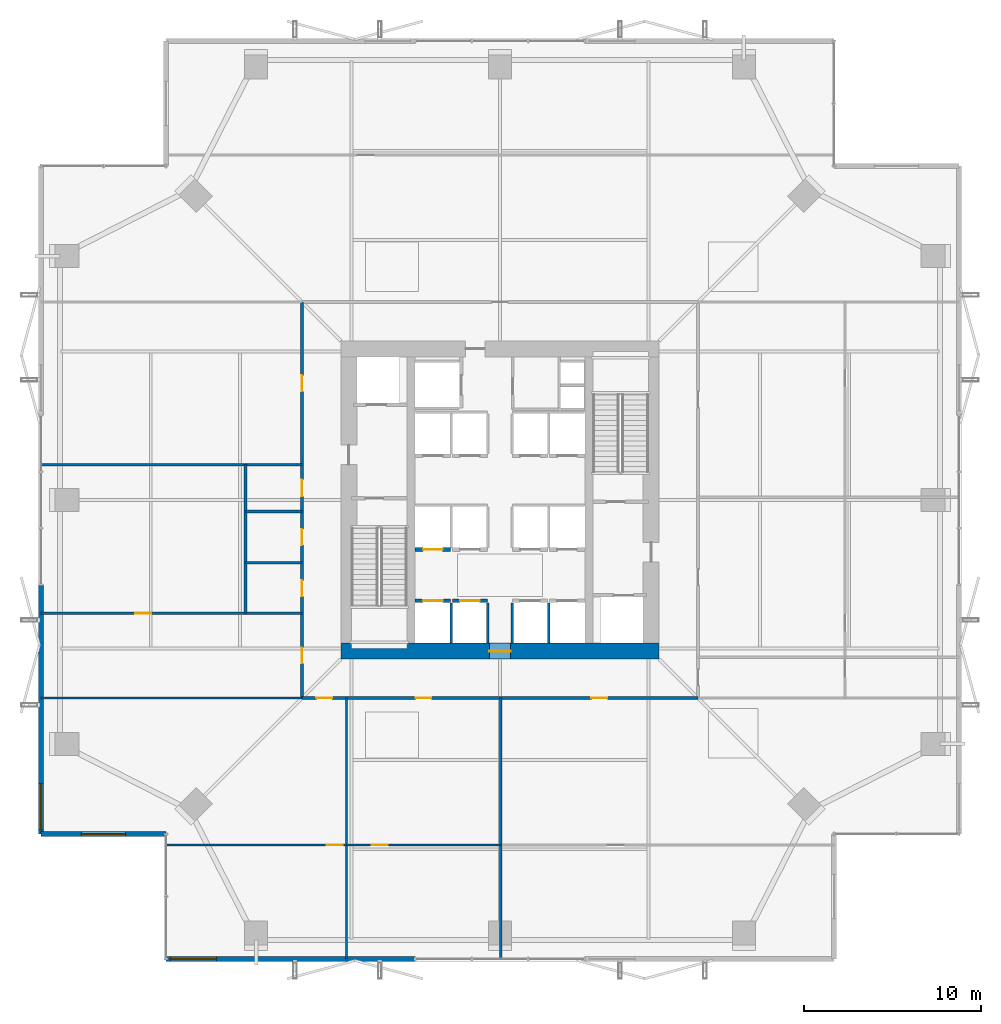
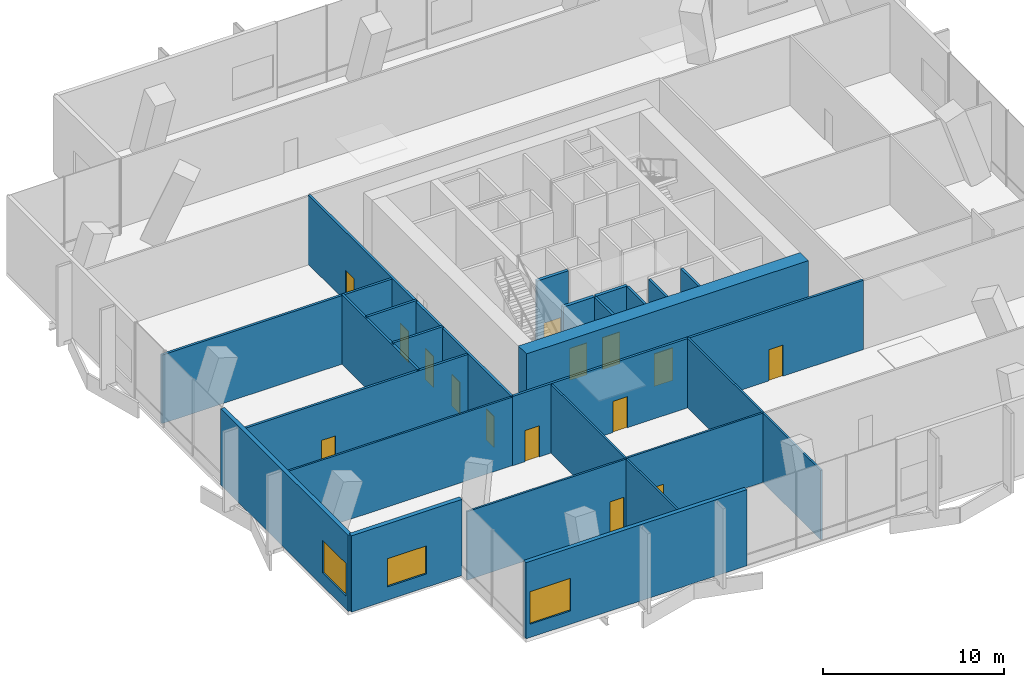
# One storey, part 24 of 28: 23 walls, 15 doors, 3 windows, 18 openings.
"""IFC4 building model written with IfcOpenShell, lengths in metres."""

from ifc_helpers import new_model, si_unit, direction, frame, frame_2d, origin, place, context, subcontext, project, spatial, rectangle, extrude, material, layer, layer_set, type_object, element, fill, save


model = new_model("IFC4")

# Units and contexts
model_context = context("Model", 3, precision=1e-05, world=origin(), true_north=direction((0.0, 1.0)))
body_context = subcontext(model_context, "Body", "Model", "MODEL_VIEW")
ifc_project = project(units=[si_unit("LENGTHUNIT", "METRE"), si_unit("AREAUNIT", "SQUARE_METRE"), si_unit("VOLUMEUNIT", "CUBIC_METRE"), si_unit("PLANEANGLEUNIT", "RADIAN"), si_unit("MASSUNIT", "GRAM", prefix="KILO")], contexts=[model_context])

# Site, building, storey
site_placement = place(None, origin())
site = spatial("IfcSite", under=ifc_project, at=site_placement, CompositionType="ELEMENT")
building_placement = place(site_placement, origin())
building = spatial("IfcBuilding", under=site, at=building_placement, Name="Belovzor Exchange Tower", CompositionType="ELEMENT")
storey_placement = place(building_placement, frame((0.0, 0.0, 132.89990234375)))
storey = spatial("IfcBuildingStorey", under=building, at=storey_placement, Name="L32", CompositionType="ELEMENT", Elevation=132.89990234375)

# Wall, opening, door
ifc_material_1 = material(Name="Acoustic Plasterboard on Galvanised Studs", Category="gypsum")
ifc_layer_1 = layer(ifc_material_1, 0.1201171875)
ifc_layer_set_1 = layer_set([ifc_layer_1], Name="Acoustic Plasterboard on Galvanised Studs")
wall_type_1 = type_object("IfcWallType", Name="Acoustic Double-Stud Partition Wall 120", PredefinedType="PARTITIONING", material=ifc_layer_set_1)
wall_1_placement = place(storey_placement, frame((9.89990234375, 9.280029296875, 0.0), z_axis=(0.0, 0.0, 1.0), x_axis=(1.0, 0.0, 0.0)))
wall_1 = element("IfcWall", 1, at=wall_1_placement, inside=storey, type_object=wall_type_1, Name="W-P120 Partition Wall W-L32-SHDIV-0", PredefinedType="PARTITIONING", context=body_context, shape_type="SweptSolid", body=[
    extrude(rectangle(XDim=10.2080078125, YDim=0.1201171875, at=frame_2d((5.10400390625, 0.0))), origin(), (0.0, 0.0, 1.0), 4.630126953125),
])
opening_1_placement = place(wall_1_placement, frame((9.10791015625, 0.0, 0.0)))
opening_1 = element("IfcOpeningElement", 2, at=opening_1_placement, cuts=wall_1, Name="Opening D-INT-090", PredefinedType="OPENING", context=body_context, shape_type="SweptSolid", body=[
    extrude(rectangle(XDim=0.89990234375, YDim=2.10009765625, at=frame_2d((0.449951171875, 1.050048828125))), frame((0.0, 0.070068359375, 0.0), z_axis=(0.0, -1.0, 0.0), x_axis=(1.0, 0.0, 0.0)), (0.0, 0.0, 1.0), 0.14013671875),
])
ifc_material_2 = material(Name="Veneered Hardwood Acoustic Leaf", Category="wood")
door_type_1 = type_object("IfcDoorType", Name="Trading Suite Acoustic Single Door 900x2100", OperationType="NOTDEFINED", PredefinedType="DOOR", material=ifc_material_2)
door_1_placement = place(opening_1_placement, origin())
door_1 = element("IfcDoor", 3, at=door_1_placement, inside=storey, type_object=door_type_1, Name="D-INT-090 Trading Suite Acoustic Single Door 900x2100", OperationType="SINGLE_SWING_LEFT", OverallHeight=2.10009765625, OverallWidth=0.89990234375, PredefinedType="DOOR", context=body_context, shape_type="SweptSolid", body=[
    extrude(rectangle(XDim=0.89990234375, YDim=2.10009765625, at=frame_2d((0.449951171875, 1.050048828125))), frame((0.0, 0.02490234375, 0.0), z_axis=(0.0, -1.0, 0.0), x_axis=(1.0, 0.0, 0.0)), (0.0, 0.0, 1.0), 0.050048828125),
])
fill(opening_1, door_1)

# Wall
wall_2_placement = place(storey_placement, frame((20.10791015625, 2.830078125, 0.0), z_axis=(0.0, 0.0, 1.0), x_axis=(0.0, 1.0, 0.0)))
element("IfcWall", 4, at=wall_2_placement, inside=storey, type_object=wall_type_1, Name="W-P120 Partition Wall W-L32-SDIV-1", PredefinedType="PARTITIONING", context=body_context, shape_type="SweptSolid", body=[
    extrude(rectangle(XDim=14.77001953125, YDim=0.1201171875, at=frame_2d((7.385009765625, 0.0))), origin(), (0.0, 0.0, 1.0), 4.630126953125),
])

# Wall, opening, door
wall_3_placement = place(storey_placement, frame((20.10791015625, 9.280029296875, 0.0), z_axis=(0.0, 0.0, 1.0), x_axis=(1.0, 0.0, 0.0)))
wall_3 = element("IfcWall", 5, at=wall_3_placement, inside=storey, type_object=wall_type_1, Name="W-P120 Partition Wall W-L32-SHDIV-1", PredefinedType="PARTITIONING", context=body_context, shape_type="SweptSolid", body=[
    extrude(rectangle(XDim=8.731201171875, YDim=0.1201171875, at=frame_2d((4.36572265625, 0.0))), origin(), (0.0, 0.0, 1.0), 4.68017578125),
])
opening_2_placement = place(wall_3_placement, frame((1.43798828125, 0.0, 0.0)))
opening_2 = element("IfcOpeningElement", 6, at=opening_2_placement, cuts=wall_3, Name="Opening D-INT-090", PredefinedType="OPENING", context=body_context, shape_type="SweptSolid", body=[
    extrude(rectangle(XDim=0.89990234375, YDim=2.10009765625, at=frame_2d((0.449951171875, 1.050048828125))), frame((0.0, 0.070068359375, 0.0), z_axis=(0.0, -1.0, 0.0), x_axis=(1.0, 0.0, 0.0)), (0.0, 0.0, 1.0), 0.14013671875),
])
door_2_placement = place(opening_2_placement, origin())
door_2 = element("IfcDoor", 7, at=door_2_placement, inside=storey, type_object=door_type_1, Name="D-INT-090 Trading Suite Acoustic Single Door 900x2100", OperationType="SINGLE_SWING_LEFT", OverallHeight=2.10009765625, OverallWidth=0.89990234375, PredefinedType="DOOR", context=body_context, shape_type="SweptSolid", body=[
    extrude(rectangle(XDim=0.89990234375, YDim=2.10009765625, at=frame_2d((0.449951171875, 1.050048828125))), frame((0.0, 0.02490234375, 0.0), z_axis=(0.0, -1.0, 0.0), x_axis=(1.0, 0.0, 0.0)), (0.0, 0.0, 1.0), 0.050048828125),
])
fill(opening_2, door_2)

# Walls
wall_4_placement = place(storey_placement, frame((28.839111328125, 2.830078125, 0.0), z_axis=(0.0, 0.0, 1.0), x_axis=(0.0, 1.0, 0.0)))
element("IfcWall", 8, at=wall_4_placement, inside=storey, type_object=wall_type_1, Name="W-P120 Partition Wall W-L32-SDIV-2", PredefinedType="PARTITIONING", context=body_context, shape_type="SweptSolid", body=[
    extrude(rectangle(XDim=14.77001953125, YDim=0.1201171875, at=frame_2d((7.385009765625, 0.0))), origin(), (0.0, 0.0, 1.0), 4.68017578125),
])
wall_5_placement = place(storey_placement, frame((2.830078125, 17.60009765625, 0.0), z_axis=(0.0, 0.0, 1.0), x_axis=(1.0, 0.0, 0.0)))
element("IfcWall", 9, at=wall_5_placement, inside=storey, type_object=wall_type_1, Name="W-P120 Partition Wall W-L32-END-SW", PredefinedType="PARTITIONING", context=body_context, shape_type="SweptSolid", body=[
    extrude(rectangle(XDim=14.77001953125, YDim=0.1201171875, at=frame_2d((7.385009765625, 0.0))), origin(), (0.0, 0.0, 1.0), 4.630126953125),
])
ifc_material_3 = material(Name="Fire-Rated Gypsum Block and Mineral Wool", Category="gypsum")
ifc_layer_2 = layer(ifc_material_3, 0.14990234375)
ifc_layer_set_2 = layer_set([ifc_layer_2], Name="Fire-Rated Gypsum Block and Mineral Wool")
wall_type_2 = type_object("IfcWallType", Name="Fire-Rated Gypsum Block Corridor Wall 150", PredefinedType="PARTITIONING", material=ifc_layer_set_2)
wall_6_placement = place(storey_placement, frame((14.39990234375, 22.39990234375, 0.0), z_axis=(0.0, 0.0, 1.0), x_axis=(0.0, 1.0, 0.0)))
element("IfcWall", 10, at=wall_6_placement, inside=storey, type_object=wall_type_2, Name="W-P150 Partition Wall W-L32-WCW", PredefinedType="PARTITIONING", context=body_context, shape_type="SweptSolid", body=[
    extrude(rectangle(XDim=8.400146484375, YDim=0.14990234375, at=frame_2d((4.2001953125, 0.0))), origin(), (0.0, 0.0, 1.0), 4.68017578125),
])

# Wall, opening, door
wall_7_placement = place(storey_placement, frame((2.830078125, 22.39990234375, 0.0), z_axis=(0.0, 0.0, 1.0), x_axis=(1.0, 0.0, 0.0)))
wall_7 = element("IfcWall", 11, at=wall_7_placement, inside=storey, type_object=wall_type_2, Name="W-P150 Partition Wall W-L32-WCS", PredefinedType="PARTITIONING", context=body_context, shape_type="SweptSolid", body=[
    extrude(rectangle(XDim=14.77001953125, YDim=0.14990234375, at=frame_2d((7.385009765625, 0.0))), origin(), (0.0, 0.0, 1.0), 4.630126953125),
])
opening_3_placement = place(wall_7_placement, frame((5.3349609375, 0.0, 0.0)))
opening_3 = element("IfcOpeningElement", 12, at=opening_3_placement, cuts=wall_7, Name="Opening D-INT-090", PredefinedType="OPENING", context=body_context, shape_type="SweptSolid", body=[
    extrude(rectangle(XDim=0.89990234375, YDim=2.10009765625, at=frame_2d((0.449951171875, 1.050048828125))), frame((0.0, 0.0849609375, 0.0), z_axis=(0.0, -1.0, 0.0), x_axis=(1.0, 0.0, 0.0)), (0.0, 0.0, 1.0), 0.169921875),
])
door_3_placement = place(opening_3_placement, origin())
door_3 = element("IfcDoor", 13, at=door_3_placement, inside=storey, type_object=door_type_1, Name="D-INT-090 Trading Suite Acoustic Single Door 900x2100", OperationType="SINGLE_SWING_LEFT", OverallHeight=2.10009765625, OverallWidth=0.89990234375, PredefinedType="DOOR", context=body_context, shape_type="SweptSolid", body=[
    extrude(rectangle(XDim=0.89990234375, YDim=2.10009765625, at=frame_2d((0.449951171875, 1.050048828125))), frame((0.0, 0.02490234375, 0.0), z_axis=(0.0, -1.0, 0.0), x_axis=(1.0, 0.0, 0.0)), (0.0, 0.0, 1.0), 0.050048828125),
])
fill(opening_3, door_3)

# Walls
wall_8_placement = place(storey_placement, frame((2.830078125, 30.800048828125, 0.0), z_axis=(0.0, 0.0, 1.0), x_axis=(1.0, 0.0, 0.0)))
element("IfcWall", 14, at=wall_8_placement, inside=storey, type_object=wall_type_2, Name="W-P150 Partition Wall W-L32-WCN", PredefinedType="PARTITIONING", context=body_context, shape_type="SweptSolid", body=[
    extrude(rectangle(XDim=14.77001953125, YDim=0.14990234375, at=frame_2d((7.385009765625, 0.0))), origin(), (0.0, 0.0, 1.0), 4.630126953125),
])
for number, where, z_axis, x_axis, name in (
    (15, (14.39990234375, 25.25, 0.0), (0.0, 0.0, 1.0), (1.0, 0.0, 0.0), "W-P150 Partition Wall W-L32-WCD1"),
    (16, (14.39990234375, 28.14990234375, 0.0), (0.0, 0.0, 1.0), (1.0, 0.0, 0.0), "W-P150 Partition Wall W-L32-WCD2"),
):
    element("IfcWall", number, at=place(storey_placement, frame(where, z_axis=z_axis, x_axis=x_axis)), inside=storey, type_object=wall_type_2, Name=name, PredefinedType="PARTITIONING", context=body_context, shape_type="SweptSolid", body=[
        extrude(rectangle(XDim=3.2001953125, YDim=0.14990234375, at=frame_2d((1.60009765625, 0.0))), origin(), (0.0, 0.0, 1.0), 4.77001953125),
    ])

# Wall, openings, doors
wall_9_placement = place(storey_placement, frame((17.60009765625, 17.60009765625, 0.0), z_axis=(0.0, 0.0, 1.0), x_axis=(1.0, 0.0, 0.0)))
wall_9 = element("IfcWall", 17, at=wall_9_placement, inside=storey, type_object=wall_type_2, Name="W-P150 Partition Wall W-L32-CS", PredefinedType="PARTITIONING", context=body_context, shape_type="SweptSolid", body=[
    extrude(rectangle(XDim=22.39990234375, YDim=0.14990234375, at=frame_2d((11.199951171875, 0.0))), origin(), (0.0, 0.0, 1.0), 4.68017578125),
])
opening_4_placement = place(wall_9_placement, frame((0.803955078125, 0.0, 0.0)))
opening_4 = element("IfcOpeningElement", 18, at=opening_4_placement, cuts=wall_9, Name="Opening D-INT-090", PredefinedType="OPENING", context=body_context, shape_type="SweptSolid", body=[
    extrude(rectangle(XDim=0.89990234375, YDim=2.10009765625, at=frame_2d((0.449951171875, 1.050048828125))), frame((0.0, 0.0849609375, 0.0), z_axis=(0.0, -1.0, 0.0), x_axis=(1.0, 0.0, 0.0)), (0.0, 0.0, 1.0), 0.169921875),
])
opening_5_placement = place(wall_9_placement, frame((6.424072265625, 0.0, 0.0)))
opening_5 = element("IfcOpeningElement", 19, at=opening_5_placement, cuts=wall_9, Name="Opening D-INT-090", PredefinedType="OPENING", context=body_context, shape_type="SweptSolid", body=[
    extrude(rectangle(XDim=0.89990234375, YDim=2.10009765625, at=frame_2d((0.449951171875, 1.050048828125))), frame((0.0, 0.0849609375, 0.0), z_axis=(0.0, -1.0, 0.0), x_axis=(1.0, 0.0, 0.0)), (0.0, 0.0, 1.0), 0.169921875),
])
opening_6_placement = place(wall_9_placement, frame((16.368896484375, 0.0, 0.0)))
opening_6 = element("IfcOpeningElement", 20, at=opening_6_placement, cuts=wall_9, Name="Opening D-INT-090", PredefinedType="OPENING", context=body_context, shape_type="SweptSolid", body=[
    extrude(rectangle(XDim=0.89990234375, YDim=2.10009765625, at=frame_2d((0.449951171875, 1.050048828125))), frame((0.0, 0.0849609375, 0.0), z_axis=(0.0, -1.0, 0.0), x_axis=(1.0, 0.0, 0.0)), (0.0, 0.0, 1.0), 0.169921875),
])
door_4_placement = place(opening_4_placement, origin())
door_4 = element("IfcDoor", 21, at=door_4_placement, inside=storey, type_object=door_type_1, Name="D-INT-090 Trading Suite Acoustic Single Door 900x2100", OperationType="SINGLE_SWING_RIGHT", OverallHeight=2.10009765625, OverallWidth=0.89990234375, PredefinedType="DOOR", context=body_context, shape_type="SweptSolid", body=[
    extrude(rectangle(XDim=0.89990234375, YDim=2.10009765625, at=frame_2d((0.449951171875, 1.050048828125))), frame((0.0, 0.02490234375, 0.0), z_axis=(0.0, -1.0, 0.0), x_axis=(1.0, 0.0, 0.0)), (0.0, 0.0, 1.0), 0.050048828125),
])
fill(opening_4, door_4)
door_5_placement = place(opening_5_placement, origin())
door_5 = element("IfcDoor", 22, at=door_5_placement, inside=storey, type_object=door_type_1, Name="D-INT-090 Trading Suite Acoustic Single Door 900x2100", OperationType="SINGLE_SWING_LEFT", OverallHeight=2.10009765625, OverallWidth=0.89990234375, PredefinedType="DOOR", context=body_context, shape_type="SweptSolid", body=[
    extrude(rectangle(XDim=0.89990234375, YDim=2.10009765625, at=frame_2d((0.449951171875, 1.050048828125))), frame((0.0, 0.02490234375, 0.0), z_axis=(0.0, -1.0, 0.0), x_axis=(1.0, 0.0, 0.0)), (0.0, 0.0, 1.0), 0.050048828125),
])
fill(opening_5, door_5)
door_6_placement = place(opening_6_placement, origin())
door_6 = element("IfcDoor", 23, at=door_6_placement, inside=storey, type_object=door_type_1, Name="D-INT-090 Trading Suite Acoustic Single Door 900x2100", OperationType="SINGLE_SWING_RIGHT", OverallHeight=2.10009765625, OverallWidth=0.89990234375, PredefinedType="DOOR", context=body_context, shape_type="SweptSolid", body=[
    extrude(rectangle(XDim=0.89990234375, YDim=2.10009765625, at=frame_2d((0.449951171875, 1.050048828125))), frame((0.0, 0.02490234375, 0.0), z_axis=(0.0, -1.0, 0.0), x_axis=(1.0, 0.0, 0.0)), (0.0, 0.0, 1.0), 0.050048828125),
])
fill(opening_6, door_6)

wall_10_placement = place(storey_placement, frame((17.60009765625, 17.60009765625, 0.0), z_axis=(0.0, 0.0, 1.0), x_axis=(0.0, 1.0, 0.0)))
wall_10 = element("IfcWall", 24, at=wall_10_placement, inside=storey, type_object=wall_type_2, Name="W-P150 Partition Wall W-L32-CW", PredefinedType="PARTITIONING", context=body_context, shape_type="SweptSolid", body=[
    extrude(rectangle(XDim=22.39990234375, YDim=0.14990234375, at=frame_2d((11.199951171875, 0.0))), origin(), (0.0, 0.0, 1.0), 4.68017578125),
])
opening_7_placement = place(wall_10_placement, frame((1.949951171875, 0.0, 0.0)))
opening_7 = element("IfcOpeningElement", 25, at=opening_7_placement, cuts=wall_10, Name="Opening D-INT-090", PredefinedType="OPENING", context=body_context, shape_type="SweptSolid", body=[
    extrude(rectangle(XDim=0.89990234375, YDim=2.10009765625, at=frame_2d((0.449951171875, 1.050048828125))), frame((0.0, 0.0849609375, 0.0), z_axis=(0.0, -1.0, 0.0), x_axis=(1.0, 0.0, 0.0)), (0.0, 0.0, 1.0), 0.169921875),
])
opening_8_placement = place(wall_10_placement, frame((5.75, 0.0, 0.0)))
opening_8 = element("IfcOpeningElement", 26, at=opening_8_placement, cuts=wall_10, Name="Opening D-FD60-090", PredefinedType="OPENING", context=body_context, shape_type="SweptSolid", body=[
    extrude(rectangle(XDim=0.89990234375, YDim=2.10009765625, at=frame_2d((0.449951171875, 1.050048828125))), frame((0.0, 0.0849609375, 0.0), z_axis=(0.0, -1.0, 0.0), x_axis=(1.0, 0.0, 0.0)), (0.0, 0.0, 1.0), 0.169921875),
])
opening_9_placement = place(wall_10_placement, frame((8.64990234375, 0.0, 0.0)))
opening_9 = element("IfcOpeningElement", 27, at=opening_9_placement, cuts=wall_10, Name="Opening D-FD60-090", PredefinedType="OPENING", context=body_context, shape_type="SweptSolid", body=[
    extrude(rectangle(XDim=0.89990234375, YDim=2.10009765625, at=frame_2d((0.449951171875, 1.050048828125))), frame((0.0, 0.0849609375, 0.0), z_axis=(0.0, -1.0, 0.0), x_axis=(1.0, 0.0, 0.0)), (0.0, 0.0, 1.0), 0.169921875),
])
opening_10_placement = place(wall_10_placement, frame((11.39990234375, 0.0, 0.0)))
opening_10 = element("IfcOpeningElement", 28, at=opening_10_placement, cuts=wall_10, Name="Opening D-FD60-095", PredefinedType="OPENING", context=body_context, shape_type="SweptSolid", body=[
    extrude(rectangle(XDim=0.949951171875, YDim=2.10009765625, at=frame_2d((0.47509765625, 1.050048828125))), frame((0.0, 0.0849609375, 0.0), z_axis=(0.0, -1.0, 0.0), x_axis=(1.0, 0.0, 0.0)), (0.0, 0.0, 1.0), 0.169921875),
])
opening_11_placement = place(wall_10_placement, frame((17.35009765625, 0.0, 0.0)))
opening_11 = element("IfcOpeningElement", 29, at=opening_11_placement, cuts=wall_10, Name="Opening D-INT-090", PredefinedType="OPENING", context=body_context, shape_type="SweptSolid", body=[
    extrude(rectangle(XDim=0.89990234375, YDim=2.10009765625, at=frame_2d((0.449951171875, 1.050048828125))), frame((0.0, 0.0849609375, 0.0), z_axis=(0.0, -1.0, 0.0), x_axis=(1.0, 0.0, 0.0)), (0.0, 0.0, 1.0), 0.169921875),
])
ifc_material_4 = material(Name="Moisture-Resistant Timber Fire Leaf", Category="wood")
door_type_2 = type_object("IfcDoorType", Name="Accessible Restroom Wide Fire Door 950x2100", OperationType="NOTDEFINED", PredefinedType="DOOR", material=ifc_material_4)
door_7_placement = place(opening_10_placement, origin())
door_7 = element("IfcDoor", 30, at=door_7_placement, inside=storey, type_object=door_type_2, Name="D-FD60-095 Accessible Restroom Wide Fire Door 950x2100", OperationType="SINGLE_SWING_LEFT", OverallHeight=2.10009765625, OverallWidth=0.949951171875, PredefinedType="DOOR", context=body_context, shape_type="SweptSolid", body=[
    extrude(rectangle(XDim=0.949951171875, YDim=2.10009765625, at=frame_2d((0.47509765625, 1.050048828125))), frame((0.0, 0.02490234375, 0.0), z_axis=(0.0, -1.0, 0.0), x_axis=(1.0, 0.0, 0.0)), (0.0, 0.0, 1.0), 0.050048828125),
])
fill(opening_10, door_7)
ifc_material_5 = material(Name="Acoustic Timber Fire Leaf", Category="wood")
door_type_3 = type_object("IfcDoorType", Name="Core Service & Restroom Fire Door 900x2100", OperationType="NOTDEFINED", PredefinedType="DOOR", material=ifc_material_5)
door_8_placement = place(opening_8_placement, origin())
door_8 = element("IfcDoor", 31, at=door_8_placement, inside=storey, type_object=door_type_3, Name="D-FD60-090 Core Service & Restroom Fire Door 900x2100", OperationType="SINGLE_SWING_LEFT", OverallHeight=2.10009765625, OverallWidth=0.89990234375, PredefinedType="DOOR", context=body_context, shape_type="SweptSolid", body=[
    extrude(rectangle(XDim=0.89990234375, YDim=2.10009765625, at=frame_2d((0.449951171875, 1.050048828125))), frame((0.0, 0.02490234375, 0.0), z_axis=(0.0, -1.0, 0.0), x_axis=(1.0, 0.0, 0.0)), (0.0, 0.0, 1.0), 0.050048828125),
])
fill(opening_8, door_8)
door_9_placement = place(opening_9_placement, origin())
door_9 = element("IfcDoor", 32, at=door_9_placement, inside=storey, type_object=door_type_3, Name="D-FD60-090 Core Service & Restroom Fire Door 900x2100", OperationType="SINGLE_SWING_RIGHT", OverallHeight=2.10009765625, OverallWidth=0.89990234375, PredefinedType="DOOR", context=body_context, shape_type="SweptSolid", body=[
    extrude(rectangle(XDim=0.89990234375, YDim=2.10009765625, at=frame_2d((0.449951171875, 1.050048828125))), frame((0.0, 0.02490234375, 0.0), z_axis=(0.0, -1.0, 0.0), x_axis=(1.0, 0.0, 0.0)), (0.0, 0.0, 1.0), 0.050048828125),
])
fill(opening_9, door_9)
door_10_placement = place(opening_7_placement, origin())
door_10 = element("IfcDoor", 33, at=door_10_placement, inside=storey, type_object=door_type_1, Name="D-INT-090 Trading Suite Acoustic Single Door 900x2100", OperationType="SINGLE_SWING_LEFT", OverallHeight=2.10009765625, OverallWidth=0.89990234375, PredefinedType="DOOR", context=body_context, shape_type="SweptSolid", body=[
    extrude(rectangle(XDim=0.89990234375, YDim=2.10009765625, at=frame_2d((0.449951171875, 1.050048828125))), frame((0.0, 0.02490234375, 0.0), z_axis=(0.0, -1.0, 0.0), x_axis=(1.0, 0.0, 0.0)), (0.0, 0.0, 1.0), 0.050048828125),
])
fill(opening_7, door_10)
door_11_placement = place(opening_11_placement, origin())
door_11 = element("IfcDoor", 34, at=door_11_placement, inside=storey, type_object=door_type_1, Name="D-INT-090 Trading Suite Acoustic Single Door 900x2100", OperationType="SINGLE_SWING_RIGHT", OverallHeight=2.10009765625, OverallWidth=0.89990234375, PredefinedType="DOOR", context=body_context, shape_type="SweptSolid", body=[
    extrude(rectangle(XDim=0.89990234375, YDim=2.10009765625, at=frame_2d((0.449951171875, 1.050048828125))), frame((0.0, 0.02490234375, 0.0), z_axis=(0.0, -1.0, 0.0), x_axis=(1.0, 0.0, 0.0)), (0.0, 0.0, 1.0), 0.050048828125),
])
fill(opening_11, door_11)

# Wall, opening, window
ifc_material_6 = material(Name="Precast concrete C40/50", Category="concrete")
ifc_layer_3 = layer(ifc_material_6, 0.280029296875)
ifc_layer_set_3 = layer_set([ifc_layer_3], Name="Precast concrete C40/50")
wall_type_3 = type_object("IfcWallType", Name="Precast Concrete Notched Corner Frame Wall 280", PredefinedType="SOLIDWALL", material=ifc_layer_set_3)
wall_11_placement = place(storey_placement, frame((9.89990234375, 9.89990234375, 0.0), z_axis=(0.0, 0.0, 1.0), x_axis=(-1.0, 0.0, 0.0)))
wall_11 = element("IfcWall", 35, at=wall_11_placement, inside=storey, type_object=wall_type_3, Name="W-CRN280 Precast Concrete Notched Corner Frame Wall 280 L32", PredefinedType="SOLIDWALL", context=body_context, shape_type="SweptSolid", body=[
    extrude(rectangle(XDim=7.06982421875, YDim=0.280029296875, at=frame_2d((3.534912109375, 0.0))), origin(), (0.0, 0.0, 1.0), 5.14501953125),
])
opening_12_placement = place(wall_11_placement, frame((2.284912109375, 0.0, 0.89990234375)))
opening_12 = element("IfcOpeningElement", 36, at=opening_12_placement, cuts=wall_11, Name="Opening WN-CRN250", PredefinedType="OPENING", context=body_context, shape_type="SweptSolid", body=[
    extrude(rectangle(XDim=2.5, YDim=1.89990234375, at=frame_2d((1.25, 0.949951171875))), frame((0.0, 0.14990234375, 0.0), z_axis=(0.0, -1.0, 0.0), x_axis=(1.0, 0.0, 0.0)), (0.0, 0.0, 1.0), 0.300048828125),
])
ifc_material_7 = material(Name="Thermally Broken Aluminium and Triple Glazing", Category="aluminium")
window_type_1 = type_object("IfcWindowType", Name="Streamline Moderne Corner Wrap Ribbon Window 2500x1900", PartitioningType="SINGLE_PANEL", PredefinedType="WINDOW", material=ifc_material_7)
window_1_placement = place(opening_12_placement, origin())
window_1 = element("IfcWindow", 37, at=window_1_placement, inside=storey, type_object=window_type_1, Name="WN-CRN250 Streamline Moderne Corner Wrap Ribbon Window 2500x1900", OverallHeight=1.89990234375, OverallWidth=2.5, PartitioningType="SINGLE_PANEL", PredefinedType="WINDOW", context=body_context, shape_type="SweptSolid", body=[
    extrude(rectangle(XDim=2.5, YDim=1.89990234375, at=frame_2d((1.25, 0.949951171875))), frame((0.0, 0.030029296875, 0.0), z_axis=(0.0, -1.0, 0.0), x_axis=(1.0, 0.0, 0.0)), (0.0, 0.0, 1.0), 0.06005859375),
])
fill(opening_12, window_1)

ifc_material_8 = material(Name="Precast concrete C40/50", Category="concrete")
ifc_layer_4 = layer(ifc_material_8, 0.260009765625)
ifc_layer_set_4 = layer_set([ifc_layer_4], Name="Precast concrete C40/50")
wall_type_4 = type_object("IfcWallType", Name="Precast Concrete Perimeter Loggia Frame Wall 260", PredefinedType="SOLIDWALL", material=ifc_layer_set_4)
wall_12_placement = place(storey_placement, frame((24.0, 2.830078125, 0.0), z_axis=(0.0, 0.0, 1.0), x_axis=(-1.0, 0.0, 0.0)))
wall_12 = element("IfcWall", 38, at=wall_12_placement, inside=storey, type_object=wall_type_4, Name="W-EXT260 Precast Concrete Perimeter Loggia Frame Wall 260 L32", PredefinedType="SOLIDWALL", context=body_context, shape_type="SweptSolid", body=[
    extrude(rectangle(XDim=14.10009765625, YDim=0.260009765625, at=frame_2d((7.050048828125, 0.0))), origin(), (0.0, 0.0, 1.0), 5.14501953125),
])
opening_13_placement = place(wall_12_placement, frame((11.25, 0.0, 0.89990234375)))
opening_13 = element("IfcOpeningElement", 39, at=opening_13_placement, cuts=wall_12, Name="Opening WN-LOG260", PredefinedType="OPENING", context=body_context, shape_type="SweptSolid", body=[
    extrude(rectangle(XDim=2.60009765625, YDim=2.199951171875, at=frame_2d((1.300048828125, 1.10009765625))), frame((0.0, 0.139892578125, 0.0), z_axis=(0.0, -1.0, 0.0), x_axis=(1.0, 0.0, 0.0)), (0.0, 0.0, 1.0), 0.280029296875),
])
ifc_material_9 = material(Name="Thermally Broken Aluminium and Triple Glazing", Category="aluminium")
window_type_2 = type_object("IfcWindowType", Name="Sky-Lobby Panoramic Window 2600x2200", PartitioningType="SINGLE_PANEL", PredefinedType="WINDOW", material=ifc_material_9)
window_2_placement = place(opening_13_placement, origin())
window_2 = element("IfcWindow", 40, at=window_2_placement, inside=storey, type_object=window_type_2, Name="WN-LOG260 Sky-Lobby Panoramic Window 2600x2200", OverallHeight=2.199951171875, OverallWidth=2.60009765625, PartitioningType="SINGLE_PANEL", PredefinedType="WINDOW", context=body_context, shape_type="SweptSolid", body=[
    extrude(rectangle(XDim=2.60009765625, YDim=2.199951171875, at=frame_2d((1.300048828125, 1.10009765625))), frame((0.0, 0.030029296875, 0.0), z_axis=(0.0, -1.0, 0.0), x_axis=(1.0, 0.0, 0.0)), (0.0, 0.0, 1.0), 0.06005859375),
])
fill(opening_13, window_2)

wall_13_placement = place(storey_placement, frame((2.830078125, 9.89990234375, 0.0), z_axis=(0.0, 0.0, 1.0), x_axis=(0.0, 1.0, 0.0)))
wall_13 = element("IfcWall", 41, at=wall_13_placement, inside=storey, type_object=wall_type_4, Name="W-EXT260 Precast Concrete Perimeter Loggia Frame Wall 260 L32", PredefinedType="SOLIDWALL", context=body_context, shape_type="SweptSolid", body=[
    extrude(rectangle(XDim=14.10009765625, YDim=0.260009765625, at=frame_2d((7.050048828125, 0.0))), origin(), (0.0, 0.0, 1.0), 5.14501953125),
])
opening_14_placement = place(wall_13_placement, frame((0.25, 0.0, 0.89990234375)))
opening_14 = element("IfcOpeningElement", 42, at=opening_14_placement, cuts=wall_13, Name="Opening WN-LOG260", PredefinedType="OPENING", context=body_context, shape_type="SweptSolid", body=[
    extrude(rectangle(XDim=2.60009765625, YDim=2.199951171875, at=frame_2d((1.300048828125, 1.10009765625))), frame((0.0, 0.139892578125, 0.0), z_axis=(0.0, -1.0, 0.0), x_axis=(1.0, 0.0, 0.0)), (0.0, 0.0, 1.0), 0.280029296875),
])
window_3_placement = place(opening_14_placement, origin())
window_3 = element("IfcWindow", 43, at=window_3_placement, inside=storey, type_object=window_type_2, Name="WN-LOG260 Sky-Lobby Panoramic Window 2600x2200", OverallHeight=2.199951171875, OverallWidth=2.60009765625, PartitioningType="SINGLE_PANEL", PredefinedType="WINDOW", context=body_context, shape_type="SweptSolid", body=[
    extrude(rectangle(XDim=2.60009765625, YDim=2.199951171875, at=frame_2d((1.300048828125, 1.10009765625))), frame((0.0, 0.030029296875, 0.0), z_axis=(0.0, -1.0, 0.0), x_axis=(1.0, 0.0, 0.0)), (0.0, 0.0, 1.0), 0.06005859375),
])
fill(opening_14, window_3)

# Walls
ifc_material_10 = material(Name="Concrete C50/60", Category="concrete")
ifc_layer_5 = layer(ifc_material_10, 0.14990234375)
ifc_layer_set_5 = layer_set([ifc_layer_5], Name="Concrete C50/60")
wall_type_5 = type_object("IfcWallType", Name="Reinforced Concrete Core Riser Shear Wall 150", PredefinedType="SHEAR", material=ifc_layer_set_5)
for number, where, z_axis, x_axis, name in (
    (44, (26.050048828125, 20.719970703125, 0.0), (0.0, 0.0, 1.0), (0.0, 1.0, 0.0), "W-C150S Core Shaft Wall W-SHD-L32-PLL-1"),
    (45, (28.10009765625, 20.719970703125, 0.0), (0.0, 0.0, 1.0), (0.0, 1.0, 0.0), "W-C150S Core Shaft Wall W-SHD-L32-PLL-2"),
    (46, (29.5, 20.719970703125, 0.0), (0.0, 0.0, 1.0), (0.0, 1.0, 0.0), "W-C150S Core Shaft Wall W-SHD-L32-PLL-3"),
    (47, (31.550048828125, 20.719970703125, 0.0), (0.0, 0.0, 1.0), (0.0, 1.0, 0.0), "W-C150S Core Shaft Wall W-SHD-L32-PLL-4"),
):
    element("IfcWall", number, at=place(storey_placement, frame(where, z_axis=z_axis, x_axis=x_axis)), inside=storey, type_object=wall_type_5, Name=name, PredefinedType="SHEAR", context=body_context, shape_type="SweptSolid", body=[
        extrude(rectangle(XDim=2.260009765625, YDim=0.14990234375, at=frame_2d((1.1298828125, 0.0))), origin(), (0.0, 0.0, 1.0), 5.14501953125),
    ])

# Wall, opening, door
ifc_material_11 = material(Name="Concrete C50/60", Category="concrete")
ifc_layer_6 = layer(ifc_material_11, 0.199951171875)
ifc_layer_set_6 = layer_set([ifc_layer_6], Name="Concrete C50/60")
wall_type_6 = type_object("IfcWallType", Name="Reinforced Concrete Core Shaft Shear Wall 200", PredefinedType="SHEAR", material=ifc_layer_set_6)
wall_14_placement = place(storey_placement, frame((24.0, 23.10009765625, 0.0), z_axis=(0.0, 0.0, 1.0), x_axis=(1.0, 0.0, 0.0)))
wall_14 = element("IfcWall", 48, at=wall_14_placement, inside=storey, type_object=wall_type_6, Name="W-C200S Core Shaft Wall W-SH-L32-PL-L1", PredefinedType="SHEAR", context=body_context, shape_type="SweptSolid", body=[
    extrude(rectangle(XDim=2.0, YDim=0.199951171875, at=frame_2d((1.0, 0.0))), origin(), (0.0, 0.0, 1.0), 5.14501953125),
])
opening_15_placement = place(wall_14_placement, frame((0.449951171875, 0.0, 0.0)))
opening_15 = element("IfcOpeningElement", 49, at=opening_15_placement, cuts=wall_14, Name="Opening LD-110", PredefinedType="OPENING", context=body_context, shape_type="SweptSolid", body=[
    extrude(rectangle(XDim=1.10009765625, YDim=2.14990234375, at=frame_2d((0.550048828125, 1.074951171875))), frame((0.0, 0.10986328125, 0.0), z_axis=(0.0, -1.0, 0.0), x_axis=(1.0, 0.0, 0.0)), (0.0, 0.0, 1.0), 0.219970703125),
])
ifc_material_12 = material(Name="Stainless Steel Grade 304", Category="steel")
door_type_4 = type_object("IfcDoorType", Name="Automated Stainless Steel Lift Landing Door 1100x2150", OperationType="SLIDING_TO_RIGHT", PredefinedType="DOOR", material=ifc_material_12)
door_12_placement = place(opening_15_placement, origin())
door_12 = element("IfcDoor", 50, at=door_12_placement, inside=storey, type_object=door_type_4, Name="LD-110 Automated Stainless Steel Lift Landing Door 1100x2150", OperationType="SLIDING_TO_RIGHT", OverallHeight=2.14990234375, OverallWidth=1.10009765625, PredefinedType="DOOR", context=body_context, shape_type="SweptSolid", body=[
    extrude(rectangle(XDim=1.10009765625, YDim=2.14990234375, at=frame_2d((0.550048828125, 1.074951171875))), frame((0.0, 0.02490234375, 0.0), z_axis=(0.0, -1.0, 0.0), x_axis=(1.0, 0.0, 0.0)), (0.0, 0.0, 1.0), 0.050048828125),
])
fill(opening_15, door_12)

wall_15_placement = place(storey_placement, frame((26.10009765625, 23.10009765625, 0.0), z_axis=(0.0, 0.0, 1.0), x_axis=(1.0, 0.0, 0.0)))
wall_15 = element("IfcWall", 51, at=wall_15_placement, inside=storey, type_object=wall_type_6, Name="W-C200S Core Shaft Wall W-SH-L32-PL-L2", PredefinedType="SHEAR", context=body_context, shape_type="SweptSolid", body=[
    extrude(rectangle(XDim=2.0, YDim=0.199951171875, at=frame_2d((1.0, 0.0))), origin(), (0.0, 0.0, 1.0), 5.14501953125),
])
opening_16_placement = place(wall_15_placement, frame((0.449951171875, 0.0, 0.0)))
opening_16 = element("IfcOpeningElement", 52, at=opening_16_placement, cuts=wall_15, Name="Opening LD-110", PredefinedType="OPENING", context=body_context, shape_type="SweptSolid", body=[
    extrude(rectangle(XDim=1.10009765625, YDim=2.14990234375, at=frame_2d((0.550048828125, 1.074951171875))), frame((0.0, 0.10986328125, 0.0), z_axis=(0.0, -1.0, 0.0), x_axis=(1.0, 0.0, 0.0)), (0.0, 0.0, 1.0), 0.219970703125),
])
door_13_placement = place(opening_16_placement, origin())
door_13 = element("IfcDoor", 53, at=door_13_placement, inside=storey, type_object=door_type_4, Name="LD-110 Automated Stainless Steel Lift Landing Door 1100x2150", OperationType="SLIDING_TO_RIGHT", OverallHeight=2.14990234375, OverallWidth=1.10009765625, PredefinedType="DOOR", context=body_context, shape_type="SweptSolid", body=[
    extrude(rectangle(XDim=1.10009765625, YDim=2.14990234375, at=frame_2d((0.550048828125, 1.074951171875))), frame((0.0, 0.02490234375, 0.0), z_axis=(0.0, -1.0, 0.0), x_axis=(1.0, 0.0, 0.0)), (0.0, 0.0, 1.0), 0.050048828125),
])
fill(opening_16, door_13)

wall_16_placement = place(storey_placement, frame((24.0, 26.0, 0.0), z_axis=(0.0, 0.0, 1.0), x_axis=(1.0, 0.0, 0.0)))
wall_16 = element("IfcWall", 54, at=wall_16_placement, inside=storey, type_object=wall_type_6, Name="W-C200S Core Shaft Wall W-SH-L32-PL-M1", PredefinedType="SHEAR", context=body_context, shape_type="SweptSolid", body=[
    extrude(rectangle(XDim=2.0, YDim=0.199951171875, at=frame_2d((1.0, 0.0))), origin(), (0.0, 0.0, 1.0), 5.14501953125),
])
opening_17_placement = place(wall_16_placement, frame((0.449951171875, 0.0, 0.0)))
opening_17 = element("IfcOpeningElement", 55, at=opening_17_placement, cuts=wall_16, Name="Opening LD-110", PredefinedType="OPENING", context=body_context, shape_type="SweptSolid", body=[
    extrude(rectangle(XDim=1.10009765625, YDim=2.14990234375, at=frame_2d((0.550048828125, 1.074951171875))), frame((0.0, 0.10986328125, 0.0), z_axis=(0.0, -1.0, 0.0), x_axis=(1.0, 0.0, 0.0)), (0.0, 0.0, 1.0), 0.219970703125),
])
door_14_placement = place(opening_17_placement, origin())
door_14 = element("IfcDoor", 56, at=door_14_placement, inside=storey, type_object=door_type_4, Name="LD-110 Automated Stainless Steel Lift Landing Door 1100x2150", OperationType="SLIDING_TO_RIGHT", OverallHeight=2.14990234375, OverallWidth=1.10009765625, PredefinedType="DOOR", context=body_context, shape_type="SweptSolid", body=[
    extrude(rectangle(XDim=1.10009765625, YDim=2.14990234375, at=frame_2d((0.550048828125, 1.074951171875))), frame((0.0, 0.02490234375, 0.0), z_axis=(0.0, -1.0, 0.0), x_axis=(1.0, 0.0, 0.0)), (0.0, 0.0, 1.0), 0.050048828125),
])
fill(opening_17, door_14)

ifc_material_13 = material(Name="Concrete C60/75", Category="concrete")
ifc_layer_7 = layer(ifc_material_13, 0.89990234375)
ifc_layer_set_7 = layer_set([ifc_layer_7], Name="Concrete C60/75")
wall_type_7 = type_object("IfcWallType", Name="Reinforced Concrete Core Shear Wall 900", PredefinedType="SHEAR", material=ifc_layer_set_7)
wall_17_placement = place(storey_placement, frame((19.800048828125, 20.25, 0.0), z_axis=(0.0, 0.0, 1.0), x_axis=(1.0, 0.0, 0.0)))
wall_17 = element("IfcWall", 57, at=wall_17_placement, inside=storey, type_object=wall_type_7, Name="CW-S090 Core Shear Wall L32 S", PredefinedType="SHEAR", context=body_context, shape_type="SweptSolid", body=[
    extrude(rectangle(XDim=18.0, YDim=0.89990234375, at=frame_2d((9.0, 0.0))), origin(), (0.0, 0.0, 1.0), 5.400146484375),
])
opening_18_placement = place(wall_17_placement, frame((8.39990234375, 0.0, 0.0)))
opening_18 = element("IfcOpeningElement", 58, at=opening_18_placement, cuts=wall_17, Name="Opening D-FD90-120", PredefinedType="OPENING", context=body_context, shape_type="SweptSolid", body=[
    extrude(rectangle(XDim=1.199951171875, YDim=2.199951171875, at=frame_2d((0.60009765625, 1.10009765625))), frame((0.0, 0.4599609375, 0.0), z_axis=(0.0, -1.0, 0.0), x_axis=(1.0, 0.0, 0.0)), (0.0, 0.0, 1.0), 0.919921875),
])
ifc_material_14 = material(Name="Fire-Rated Galvanised Steel Leaf", Category="steel")
door_type_5 = type_object("IfcDoorType", Name="Heavy Plant & Foyer Fire Door 1200x2200", OperationType="NOTDEFINED", PredefinedType="DOOR", material=ifc_material_14)
door_15_placement = place(opening_18_placement, origin())
door_15 = element("IfcDoor", 59, at=door_15_placement, inside=storey, type_object=door_type_5, Name="D-FD90-120 Heavy Plant & Foyer Fire Door 1200x2200", OperationType="SINGLE_SWING_LEFT", OverallHeight=2.199951171875, OverallWidth=1.199951171875, PredefinedType="DOOR", context=body_context, shape_type="SweptSolid", body=[
    extrude(rectangle(XDim=1.199951171875, YDim=2.199951171875, at=frame_2d((0.60009765625, 1.10009765625))), frame((0.0, 0.02490234375, 0.0), z_axis=(0.0, -1.0, 0.0), x_axis=(1.0, 0.0, 0.0)), (0.0, 0.0, 1.0), 0.050048828125),
])
fill(opening_18, door_15)

save(model, "model.ifc")
